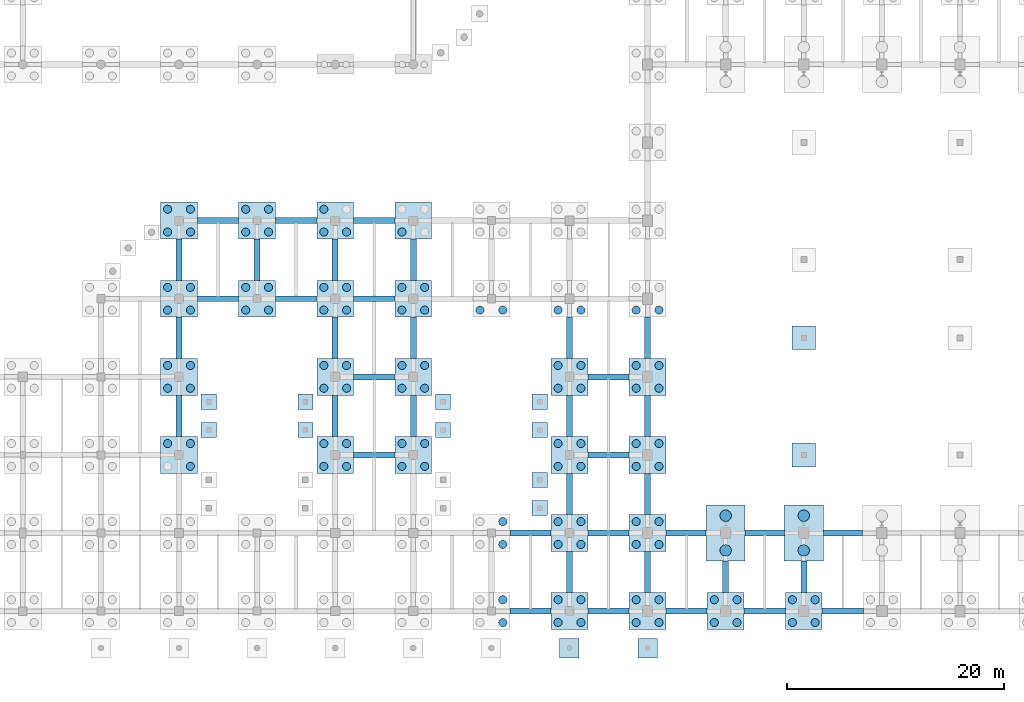
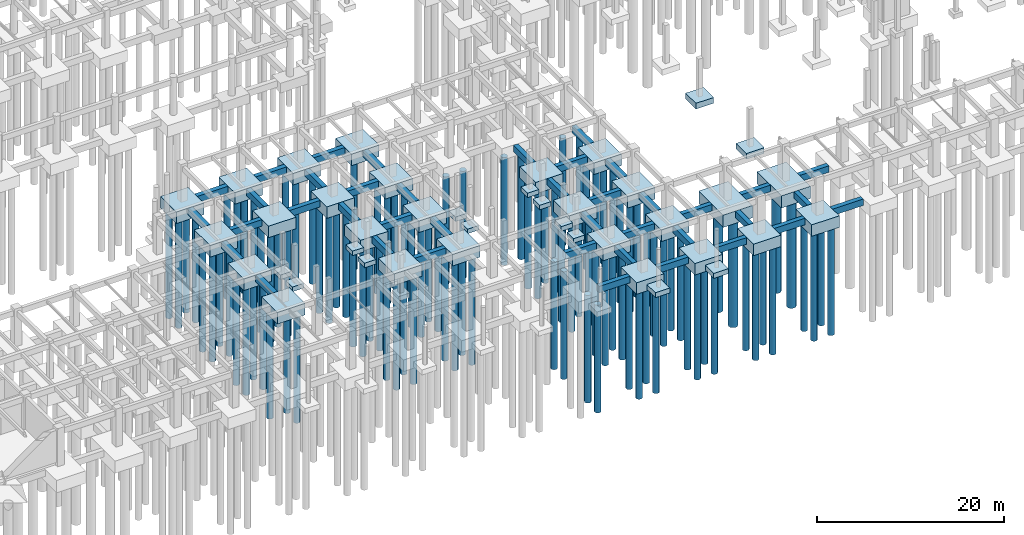
# One storey, part 4 of 47: 105 piles, 80 footings.
"""IFC4 building model written with IfcOpenShell, lengths in metres."""

from ifc_helpers import new_model, si_unit, direction, frame, origin, origin_2d, place, context, subcontext, project, spatial, rectangle, circle, extrude, material, material_profile, profile_set, type_object, element, save


model = new_model("IFC4")

# Units and contexts
model_context = context("Model", 3, precision=1e-05, world=origin(), true_north=direction((0.0, 1.0)))
body_context = subcontext(model_context, "Body", "Model", "MODEL_VIEW")
ifc_project = project(units=[si_unit("LENGTHUNIT", "METRE"), si_unit("AREAUNIT", "SQUARE_METRE"), si_unit("VOLUMEUNIT", "CUBIC_METRE"), si_unit("PLANEANGLEUNIT", "RADIAN"), si_unit("MASSUNIT", "GRAM", prefix="KILO")], contexts=[model_context])

# Site, building, storey
site_placement = place(None, origin())
site = spatial("IfcSite", under=ifc_project, at=site_placement, CompositionType="ELEMENT")
building_placement = place(site_placement, origin())
building = spatial("IfcBuilding", under=site, at=building_placement, Name="Thalmaran Polytechnic", CompositionType="ELEMENT")
storey_placement = place(building_placement, frame((0.0, 0.0, -4.5)))
storey = spatial("IfcBuildingStorey", under=building, at=storey_placement, Name="B1", CompositionType="ELEMENT", Elevation=-4.5)

# Footings
ifc_material_1 = material(Name="Concrete C40/50", Category="concrete")
ifc_material_profile_1 = material_profile(ifc_material_1, rectangle(XDim=0.550048828125, YDim=0.85009765625, at=origin_2d()), Name="RC 550x850")
ifc_profile_set_1 = profile_set([ifc_material_profile_1], Name="Concrete C40/50")
footing_type_1 = type_object("IfcFootingType", Name="FN-GB01", PredefinedType="FOOTING_BEAM", material=ifc_profile_set_1)
footing_1_placement = place(storey_placement, frame((64.800048828125, 16.10009765625, -0.875), z_axis=(0.0, 1.0, 0.0), x_axis=(-1.0, 0.0, 0.0)))
element("IfcFooting", 1, at=footing_1_placement, inside=storey, type_object=footing_type_1, Name="Ground Tie Beam B1 Y (9,2)", PredefinedType="FOOTING_BEAM", context=body_context, shape_type="SweptSolid", body=[
    extrude(rectangle(XDim=0.550048828125, YDim=0.85009765625, at=origin_2d()), origin(), (0.0, 0.0, 1.0), 3.7998046875),
])
for number, where, z_axis, x_axis, name in (
    (2, (64.800048828125, 23.300048828125, -0.875), (0.0, 1.0, 0.0), (-1.0, 0.0, 0.0), "Ground Tie Beam B1 Y (9,3)"),
    (3, (66.5, 28.800048828125, -0.875), (1.0, 0.0, 0.0), (0.0, 1.0, 0.0), "Ground Tie Beam B1 X (9,4)"),
    (4, (64.800048828125, 30.5, -0.875), (0.0, 1.0, 0.0), (-1.0, 0.0, 0.0), "Ground Tie Beam B1 Y (9,4)"),
    (5, (66.5, 36.0, -0.875), (1.0, 0.0, 0.0), (0.0, 1.0, 0.0), "Ground Tie Beam B1 X (9,5)"),
    (6, (73.699951171875, 28.800048828125, -0.875), (1.0, 0.0, 0.0), (0.0, 1.0, 0.0), "Ground Tie Beam B1 X (10,4)"),
    (7, (72.0, 30.5, -0.875), (0.0, 1.0, 0.0), (-1.0, 0.0, 0.0), "Ground Tie Beam B1 Y (10,4)"),
    (8, (73.699951171875, 36.0, -0.875), (1.0, 0.0, 0.0), (0.0, 1.0, 0.0), "Ground Tie Beam B1 X (10,5)"),
    (9, (80.89990234375, 14.39990234375, -0.875), (1.0, 0.0, 0.0), (0.0, 1.0, 0.0), "Ground Tie Beam B1 X (11,2)"),
):
    element("IfcFooting", number, at=place(storey_placement, frame(where, z_axis=z_axis, x_axis=x_axis)), inside=storey, type_object=footing_type_1, Name=name, PredefinedType="FOOTING_BEAM", context=body_context, shape_type="SweptSolid", body=[
        extrude(rectangle(XDim=0.550048828125, YDim=0.85009765625, at=origin_2d()), origin(), (0.0, 0.0, 1.0), 3.800048828125),
    ])
footing_2_placement = place(storey_placement, frame((79.199951171875, 16.10009765625, -0.875), z_axis=(0.0, 1.0, 0.0), x_axis=(-1.0, 0.0, 0.0)))
element("IfcFooting", 10, at=footing_2_placement, inside=storey, type_object=footing_type_1, Name="Ground Tie Beam B1 Y (11,2)", PredefinedType="FOOTING_BEAM", context=body_context, shape_type="SweptSolid", body=[
    extrude(rectangle(XDim=0.550048828125, YDim=0.85009765625, at=origin_2d()), origin(), (0.0, 0.0, 1.0), 3.7998046875),
])
for number, where, z_axis, x_axis, name in (
    (11, (80.89990234375, 21.60009765625, -0.875), (1.0, 0.0, 0.0), (0.0, 1.0, 0.0), "Ground Tie Beam B1 X (11,3)"),
    (12, (79.199951171875, 23.300048828125, -0.875), (0.0, 1.0, 0.0), (-1.0, 0.0, 0.0), "Ground Tie Beam B1 Y (11,3)"),
    (13, (80.89990234375, 28.800048828125, -0.875), (1.0, 0.0, 0.0), (0.0, 1.0, 0.0), "Ground Tie Beam B1 X (11,4)"),
    (14, (79.199951171875, 30.5, -0.875), (0.0, 1.0, 0.0), (-1.0, 0.0, 0.0), "Ground Tie Beam B1 Y (11,4)"),
    (15, (80.89990234375, 36.0, -0.875), (1.0, 0.0, 0.0), (0.0, 1.0, 0.0), "Ground Tie Beam B1 X (11,5)"),
):
    element("IfcFooting", number, at=place(storey_placement, frame(where, z_axis=z_axis, x_axis=x_axis)), inside=storey, type_object=footing_type_1, Name=name, PredefinedType="FOOTING_BEAM", context=body_context, shape_type="SweptSolid", body=[
        extrude(rectangle(XDim=0.550048828125, YDim=0.85009765625, at=origin_2d()), origin(), (0.0, 0.0, 1.0), 3.800048828125),
    ])
footing_3_placement = place(storey_placement, frame((86.39990234375, 16.10009765625, -0.875), z_axis=(0.0, 1.0, 0.0), x_axis=(-1.0, 0.0, 0.0)))
element("IfcFooting", 16, at=footing_3_placement, inside=storey, type_object=footing_type_1, Name="Ground Tie Beam B1 Y (12,2)", PredefinedType="FOOTING_BEAM", context=body_context, shape_type="SweptSolid", body=[
    extrude(rectangle(XDim=0.550048828125, YDim=0.85009765625, at=origin_2d()), origin(), (0.0, 0.0, 1.0), 3.7998046875),
])
for number, where, z_axis, x_axis, name in (
    (17, (86.39990234375, 23.300048828125, -0.875), (0.0, 1.0, 0.0), (-1.0, 0.0, 0.0), "Ground Tie Beam B1 Y (12,3)"),
    (18, (86.39990234375, 30.5, -0.875), (0.0, 1.0, 0.0), (-1.0, 0.0, 0.0), "Ground Tie Beam B1 Y (12,4)"),
    (19, (95.300048828125, 0.0, -0.875), (1.0, 0.0, 0.0), (0.0, 1.0, 0.0), "Ground Tie Beam B1 X (13,0)"),
    (20, (95.300048828125, 7.199951171875, -0.875), (1.0, 0.0, 0.0), (0.0, 1.0, 0.0), "Ground Tie Beam B1 X (13,1)"),
    (21, (102.5, 0.0, -0.875), (1.0, 0.0, 0.0), (0.0, 1.0, 0.0), "Ground Tie Beam B1 X (14,0)"),
    (22, (100.800048828125, 1.699951171875, -0.875), (0.0, 1.0, 0.0), (-1.0, 0.0, 0.0), "Ground Tie Beam B1 Y (14,0)"),
    (23, (102.5, 7.199951171875, -0.875), (1.0, 0.0, 0.0), (0.0, 1.0, 0.0), "Ground Tie Beam B1 X (14,1)"),
    (24, (100.800048828125, 8.89990234375, -0.875), (0.0, 1.0, 0.0), (-1.0, 0.0, 0.0), "Ground Tie Beam B1 Y (14,1)"),
    (25, (102.5, 14.39990234375, -0.875), (1.0, 0.0, 0.0), (0.0, 1.0, 0.0), "Ground Tie Beam B1 X (14,2)"),
):
    element("IfcFooting", number, at=place(storey_placement, frame(where, z_axis=z_axis, x_axis=x_axis)), inside=storey, type_object=footing_type_1, Name=name, PredefinedType="FOOTING_BEAM", context=body_context, shape_type="SweptSolid", body=[
        extrude(rectangle(XDim=0.550048828125, YDim=0.85009765625, at=origin_2d()), origin(), (0.0, 0.0, 1.0), 3.800048828125),
    ])
footing_4_placement = place(storey_placement, frame((100.800048828125, 16.10009765625, -0.875), z_axis=(0.0, 1.0, 0.0), x_axis=(-1.0, 0.0, 0.0)))
element("IfcFooting", 26, at=footing_4_placement, inside=storey, type_object=footing_type_1, Name="Ground Tie Beam B1 Y (14,2)", PredefinedType="FOOTING_BEAM", context=body_context, shape_type="SweptSolid", body=[
    extrude(rectangle(XDim=0.550048828125, YDim=0.85009765625, at=origin_2d()), origin(), (0.0, 0.0, 1.0), 3.7998046875),
])
for number, where, z_axis, x_axis, name in (
    (27, (102.5, 21.60009765625, -0.875), (1.0, 0.0, 0.0), (0.0, 1.0, 0.0), "Ground Tie Beam B1 X (14,3)"),
    (28, (100.800048828125, 23.300048828125, -0.875), (0.0, 1.0, 0.0), (-1.0, 0.0, 0.0), "Ground Tie Beam B1 Y (14,3)"),
    (29, (109.699951171875, 0.0, -0.875), (1.0, 0.0, 0.0), (0.0, 1.0, 0.0), "Ground Tie Beam B1 X (15,0)"),
    (30, (108.0, 1.699951171875, -0.875), (0.0, 1.0, 0.0), (-1.0, 0.0, 0.0), "Ground Tie Beam B1 Y (15,0)"),
):
    element("IfcFooting", number, at=place(storey_placement, frame(where, z_axis=z_axis, x_axis=x_axis)), inside=storey, type_object=footing_type_1, Name=name, PredefinedType="FOOTING_BEAM", context=body_context, shape_type="SweptSolid", body=[
        extrude(rectangle(XDim=0.550048828125, YDim=0.85009765625, at=origin_2d()), origin(), (0.0, 0.0, 1.0), 3.800048828125),
    ])
footing_5_placement = place(storey_placement, frame((109.699951171875, 7.199951171875, -0.875), z_axis=(1.0, 0.0, 0.0), x_axis=(0.0, 1.0, 0.0)))
element("IfcFooting", 31, at=footing_5_placement, inside=storey, type_object=footing_type_1, Name="Ground Tie Beam B1 X (15,1)", PredefinedType="FOOTING_BEAM", context=body_context, shape_type="SweptSolid", body=[
    extrude(rectangle(XDim=0.550048828125, YDim=0.85009765625, at=origin_2d()), origin(), (0.0, 0.0, 1.0), 3.699951171875),
])
footing_6_placement = place(storey_placement, frame((108.0, 8.89990234375, -0.875), z_axis=(0.0, 1.0, 0.0), x_axis=(-1.0, 0.0, 0.0)))
element("IfcFooting", 32, at=footing_6_placement, inside=storey, type_object=footing_type_1, Name="Ground Tie Beam B1 Y (15,1)", PredefinedType="FOOTING_BEAM", context=body_context, shape_type="SweptSolid", body=[
    extrude(rectangle(XDim=0.550048828125, YDim=0.85009765625, at=origin_2d()), origin(), (0.0, 0.0, 1.0), 3.800048828125),
])
footing_7_placement = place(storey_placement, frame((108.0, 16.10009765625, -0.875), z_axis=(0.0, 1.0, 0.0), x_axis=(-1.0, 0.0, 0.0)))
element("IfcFooting", 33, at=footing_7_placement, inside=storey, type_object=footing_type_1, Name="Ground Tie Beam B1 Y (15,2)", PredefinedType="FOOTING_BEAM", context=body_context, shape_type="SweptSolid", body=[
    extrude(rectangle(XDim=0.550048828125, YDim=0.85009765625, at=origin_2d()), origin(), (0.0, 0.0, 1.0), 3.7998046875),
])
for number, where, z_axis, x_axis, name in (
    (34, (108.0, 23.300048828125, -0.875), (0.0, 1.0, 0.0), (-1.0, 0.0, 0.0), "Ground Tie Beam B1 Y (15,3)"),
    (35, (116.89990234375, 0.0, -0.875), (1.0, 0.0, 0.0), (0.0, 1.0, 0.0), "Ground Tie Beam B1 X (16,0)"),
):
    element("IfcFooting", number, at=place(storey_placement, frame(where, z_axis=z_axis, x_axis=x_axis)), inside=storey, type_object=footing_type_1, Name=name, PredefinedType="FOOTING_BEAM", context=body_context, shape_type="SweptSolid", body=[
        extrude(rectangle(XDim=0.550048828125, YDim=0.85009765625, at=origin_2d()), origin(), (0.0, 0.0, 1.0), 3.800048828125),
    ])
footing_8_placement = place(storey_placement, frame((115.199951171875, 1.699951171875, -0.875), z_axis=(0.0, 1.0, 0.0), x_axis=(-1.0, 0.0, 0.0)))
element("IfcFooting", 36, at=footing_8_placement, inside=storey, type_object=footing_type_1, Name="Ground Tie Beam B1 Y (16,0)", PredefinedType="FOOTING_BEAM", context=body_context, shape_type="SweptSolid", body=[
    extrude(rectangle(XDim=0.550048828125, YDim=0.85009765625, at=origin_2d()), origin(), (0.0, 0.0, 1.0), 2.900146484375),
])
footing_9_placement = place(storey_placement, frame((117.0, 7.199951171875, -0.875), z_axis=(1.0, 0.0, 0.0), x_axis=(0.0, 1.0, 0.0)))
element("IfcFooting", 37, at=footing_9_placement, inside=storey, type_object=footing_type_1, Name="Ground Tie Beam B1 X (16,1)", PredefinedType="FOOTING_BEAM", context=body_context, shape_type="SweptSolid", body=[
    extrude(rectangle(XDim=0.550048828125, YDim=0.85009765625, at=origin_2d()), origin(), (0.0, 0.0, 1.0), 3.60009765625),
])
footing_10_placement = place(storey_placement, frame((124.10009765625, 0.0, -0.875), z_axis=(1.0, 0.0, 0.0), x_axis=(0.0, 1.0, 0.0)))
element("IfcFooting", 38, at=footing_10_placement, inside=storey, type_object=footing_type_1, Name="Ground Tie Beam B1 X (17,0)", PredefinedType="FOOTING_BEAM", context=body_context, shape_type="SweptSolid", body=[
    extrude(rectangle(XDim=0.550048828125, YDim=0.85009765625, at=origin_2d()), origin(), (0.0, 0.0, 1.0), 3.7998046875),
])
footing_11_placement = place(storey_placement, frame((122.39990234375, 1.699951171875, -0.875), z_axis=(0.0, 1.0, 0.0), x_axis=(-1.0, 0.0, 0.0)))
element("IfcFooting", 39, at=footing_11_placement, inside=storey, type_object=footing_type_1, Name="Ground Tie Beam B1 Y (17,0)", PredefinedType="FOOTING_BEAM", context=body_context, shape_type="SweptSolid", body=[
    extrude(rectangle(XDim=0.550048828125, YDim=0.85009765625, at=origin_2d()), origin(), (0.0, 0.0, 1.0), 2.900146484375),
])
footing_12_placement = place(storey_placement, frame((124.199951171875, 7.199951171875, -0.875), z_axis=(1.0, 0.0, 0.0), x_axis=(0.0, 1.0, 0.0)))
element("IfcFooting", 40, at=footing_12_placement, inside=storey, type_object=footing_type_1, Name="Ground Tie Beam B1 X (17,1)", PredefinedType="FOOTING_BEAM", context=body_context, shape_type="SweptSolid", body=[
    extrude(rectangle(XDim=0.550048828125, YDim=0.85009765625, at=origin_2d()), origin(), (0.0, 0.0, 1.0), 3.60009765625),
])
footing_type_2 = type_object("IfcFootingType", Name="FN-PC01", PredefinedType="PILE_CAP", material=ifc_material_1)
for number, where, z_axis, x_axis, name in (
    (41, (64.800048828125, 14.39990234375, -1.949951171875), (0.0, 0.0, 1.0), (1.0, 0.0, 0.0), "Pile Cap PC01 (9,2)"),
    (42, (64.800048828125, 21.60009765625, -1.949951171875), (0.0, 0.0, 1.0), (1.0, 0.0, 0.0), "Pile Cap PC01 (9,3)"),
    (43, (64.800048828125, 28.800048828125, -1.949951171875), (0.0, 0.0, 1.0), (1.0, 0.0, 0.0), "Pile Cap PC01 (9,4)"),
    (44, (64.800048828125, 36.0, -1.949951171875), (0.0, 0.0, 1.0), (1.0, 0.0, 0.0), "Pile Cap PC01 (9,5)"),
    (45, (72.0, 28.800048828125, -1.949951171875), (0.0, 0.0, 1.0), (1.0, 0.0, 0.0), "Pile Cap PC01 (10,4)"),
    (46, (72.0, 36.0, -1.949951171875), (0.0, 0.0, 1.0), (1.0, 0.0, 0.0), "Pile Cap PC01 (10,5)"),
    (47, (79.199951171875, 14.39990234375, -1.949951171875), (0.0, 0.0, 1.0), (1.0, 0.0, 0.0), "Pile Cap PC01 (11,2)"),
    (48, (79.199951171875, 21.60009765625, -1.949951171875), (0.0, 0.0, 1.0), (1.0, 0.0, 0.0), "Pile Cap PC01 (11,3)"),
    (49, (79.199951171875, 28.800048828125, -1.949951171875), (0.0, 0.0, 1.0), (1.0, 0.0, 0.0), "Pile Cap PC01 (11,4)"),
    (50, (79.199951171875, 36.0, -1.949951171875), (0.0, 0.0, 1.0), (1.0, 0.0, 0.0), "Pile Cap PC01 (11,5)"),
    (51, (86.39990234375, 14.39990234375, -1.949951171875), (0.0, 0.0, 1.0), (1.0, 0.0, 0.0), "Pile Cap PC01 (12,2)"),
    (52, (86.39990234375, 21.60009765625, -1.949951171875), (0.0, 0.0, 1.0), (1.0, 0.0, 0.0), "Pile Cap PC01 (12,3)"),
    (53, (86.39990234375, 28.800048828125, -1.949951171875), (0.0, 0.0, 1.0), (1.0, 0.0, 0.0), "Pile Cap PC01 (12,4)"),
    (54, (86.39990234375, 36.0, -1.949951171875), (0.0, 0.0, 1.0), (1.0, 0.0, 0.0), "Pile Cap PC01 (12,5)"),
    (55, (100.800048828125, 0.0, -1.949951171875), (0.0, 0.0, 1.0), (1.0, 0.0, 0.0), "Pile Cap PC01 (14,0)"),
    (56, (100.800048828125, 7.199951171875, -1.949951171875), (0.0, 0.0, 1.0), (1.0, 0.0, 0.0), "Pile Cap PC01 (14,1)"),
    (57, (100.800048828125, 14.39990234375, -1.949951171875), (0.0, 0.0, 1.0), (1.0, 0.0, 0.0), "Pile Cap PC01 (14,2)"),
    (58, (100.800048828125, 21.60009765625, -1.949951171875), (0.0, 0.0, 1.0), (1.0, 0.0, 0.0), "Pile Cap PC01 (14,3)"),
    (59, (108.0, 0.0, -1.949951171875), (0.0, 0.0, 1.0), (1.0, 0.0, 0.0), "Pile Cap PC01 (15,0)"),
    (60, (108.0, 7.199951171875, -1.949951171875), (0.0, 0.0, 1.0), (1.0, 0.0, 0.0), "Pile Cap PC01 (15,1)"),
    (61, (108.0, 14.39990234375, -1.949951171875), (0.0, 0.0, 1.0), (1.0, 0.0, 0.0), "Pile Cap PC01 (15,2)"),
    (62, (108.0, 21.60009765625, -1.949951171875), (0.0, 0.0, 1.0), (1.0, 0.0, 0.0), "Pile Cap PC01 (15,3)"),
    (63, (115.199951171875, 0.0, -1.949951171875), (0.0, 0.0, 1.0), (1.0, 0.0, 0.0), "Pile Cap PC01 (16,0)"),
    (64, (122.39990234375, 0.0, -1.949951171875), (0.0, 0.0, 1.0), (1.0, 0.0, 0.0), "Pile Cap PC01 (17,0)"),
):
    element("IfcFooting", number, at=place(storey_placement, frame(where, z_axis=z_axis, x_axis=x_axis)), inside=storey, type_object=footing_type_2, Name=name, PredefinedType="PILE_CAP", context=body_context, shape_type="SweptSolid", body=[
        extrude(rectangle(XDim=3.39990234375, YDim=3.39990234375, at=origin_2d()), origin(), (0.0, 0.0, 1.0), 1.5),
    ])
footing_type_3 = type_object("IfcFootingType", Name="FN-PC08", PredefinedType="PILE_CAP", material=ifc_material_1)
for number, where, z_axis, x_axis, name in (
    (65, (115.199951171875, 7.199951171875, -2.050048828125), (0.0, 0.0, 1.0), (1.0, 0.0, 0.0), "Pile Cap PC08 (16,1)"),
    (66, (122.39990234375, 7.199951171875, -2.050048828125), (0.0, 0.0, 1.0), (1.0, 0.0, 0.0), "Pile Cap PC08 (17,1)"),
):
    element("IfcFooting", number, at=place(storey_placement, frame(where, z_axis=z_axis, x_axis=x_axis)), inside=storey, type_object=footing_type_3, Name=name, PredefinedType="PILE_CAP", context=body_context, shape_type="SweptSolid", body=[
        extrude(rectangle(XDim=3.60009765625, YDim=5.199951171875, at=origin_2d()), origin(), (0.0, 0.0, 1.0), 1.60009765625),
    ])
footing_type_4 = type_object("IfcFootingType", Name="FN-PF01", PredefinedType="PAD_FOOTING", material=ifc_material_1)
for number, where, z_axis, x_axis, name in (
    (67, (122.39990234375, 14.39990234375, -1.199951171875), (0.0, 0.0, 1.0), (1.0, 0.0, 0.0), "POD1 Sabkha Pad Footing"),
    (68, (122.39990234375, 25.199951171875, -1.199951171875), (0.0, 0.0, 1.0), (1.0, 0.0, 0.0), "POD1 Sabkha Pad Footing"),
):
    element("IfcFooting", number, at=place(storey_placement, frame(where, z_axis=z_axis, x_axis=x_axis)), inside=storey, type_object=footing_type_4, Name=name, PredefinedType="PAD_FOOTING", context=body_context, shape_type="SweptSolid", body=[
        extrude(rectangle(XDim=2.199951171875, YDim=2.199951171875, at=origin_2d()), origin(), (0.0, 0.0, 1.0), 0.75),
    ])
footing_type_5 = type_object("IfcFootingType", Name="FN-PF02", PredefinedType="PAD_FOOTING", material=ifc_material_1)
for number, where, z_axis, x_axis, name in (
    (69, (100.800048828125, -3.39990234375, -1.099853515625), (0.0, 0.0, 1.0), (1.0, 0.0, 0.0), "Arcade Sabkha Pad Footing S6"),
    (70, (108.0, -3.39990234375, -1.099853515625), (0.0, 0.0, 1.0), (1.0, 0.0, 0.0), "Arcade Sabkha Pad Footing S7"),
):
    element("IfcFooting", number, at=place(storey_placement, frame(where, z_axis=z_axis, x_axis=x_axis)), inside=storey, type_object=footing_type_5, Name=name, PredefinedType="PAD_FOOTING", context=body_context, shape_type="SweptSolid", body=[
        extrude(rectangle(XDim=1.800048828125, YDim=1.800048828125, at=origin_2d()), origin(), (0.0, 0.0, 1.0), 0.64990234375),
    ])
footing_type_6 = type_object("IfcFootingType", Name="FN-PF03", PredefinedType="PAD_FOOTING", material=ifc_material_1)
for number, where, z_axis, x_axis, name in (
    (71, (67.550048828125, 16.699951171875, -1.050048828125), (0.0, 0.0, 1.0), (1.0, 0.0, 0.0), "Lecture Tier Footing 1-2"),
    (72, (67.550048828125, 19.300048828125, -1.050048828125), (0.0, 0.0, 1.0), (1.0, 0.0, 0.0), "Lecture Tier Footing 1-2"),
    (73, (76.449951171875, 16.699951171875, -1.050048828125), (0.0, 0.0, 1.0), (1.0, 0.0, 0.0), "Lecture Tier Footing 1-2"),
    (74, (76.449951171875, 19.300048828125, -1.050048828125), (0.0, 0.0, 1.0), (1.0, 0.0, 0.0), "Lecture Tier Footing 1-2"),
    (75, (98.050048828125, 9.5, -1.050048828125), (0.0, 0.0, 1.0), (1.0, 0.0, 0.0), "Lecture Tier Footing 2-1"),
    (76, (98.050048828125, 12.10009765625, -1.050048828125), (0.0, 0.0, 1.0), (1.0, 0.0, 0.0), "Lecture Tier Footing 2-1"),
    (77, (89.14990234375, 16.699951171875, -1.050048828125), (0.0, 0.0, 1.0), (1.0, 0.0, 0.0), "Lecture Tier Footing 2-2"),
    (78, (89.14990234375, 19.300048828125, -1.050048828125), (0.0, 0.0, 1.0), (1.0, 0.0, 0.0), "Lecture Tier Footing 2-2"),
    (79, (98.050048828125, 16.699951171875, -1.050048828125), (0.0, 0.0, 1.0), (1.0, 0.0, 0.0), "Lecture Tier Footing 2-2"),
    (80, (98.050048828125, 19.300048828125, -1.050048828125), (0.0, 0.0, 1.0), (1.0, 0.0, 0.0), "Lecture Tier Footing 2-2"),
):
    element("IfcFooting", number, at=place(storey_placement, frame(where, z_axis=z_axis, x_axis=x_axis)), inside=storey, type_object=footing_type_6, Name=name, PredefinedType="PAD_FOOTING", context=body_context, shape_type="SweptSolid", body=[
        extrude(rectangle(XDim=1.39990234375, YDim=1.39990234375, at=origin_2d()), origin(), (0.0, 0.0, 1.0), 0.60009765625),
    ])

# Piles
ifc_material_2 = material(Name="Concrete C35/45", Category="concrete")
ifc_material_profile_2 = material_profile(ifc_material_2, circle(Radius=0.52490234375, at=origin_2d()), Name="RC 1050 DIA")
ifc_profile_set_2 = profile_set([ifc_material_profile_2], Name="Concrete C35/45")
pile_type_1 = type_object("IfcPileType", Name="PL-BP01", PredefinedType="BORED", material=ifc_profile_set_2)
for number, where, z_axis, x_axis, name in (
    (81, (115.199951171875, 5.60009765625, -2.050048828125), (0.0, 0.0, -1.0), (1.0, 0.0, 0.0), "Bored Pile BP01 (16,1)-1"),
    (82, (115.199951171875, 8.800048828125, -2.050048828125), (0.0, 0.0, -1.0), (1.0, 0.0, 0.0), "Bored Pile BP01 (16,1)-2"),
    (83, (122.39990234375, 5.60009765625, -2.050048828125), (0.0, 0.0, -1.0), (1.0, 0.0, 0.0), "Bored Pile BP01 (17,1)-1"),
    (84, (122.39990234375, 8.800048828125, -2.050048828125), (0.0, 0.0, -1.0), (1.0, 0.0, 0.0), "Bored Pile BP01 (17,1)-2"),
):
    element("IfcPile", number, at=place(storey_placement, frame(where, z_axis=z_axis, x_axis=x_axis)), inside=storey, type_object=pile_type_1, Name=name, PredefinedType="BORED", context=body_context, shape_type="SweptSolid", body=[
        extrude(circle(Radius=0.52490234375, at=origin_2d()), origin(), (0.0, 0.0, 1.0), 13.949951171875),
    ])
ifc_material_profile_3 = material_profile(ifc_material_2, circle(Radius=0.375, at=origin_2d()), Name="RC 750 DIA")
ifc_profile_set_3 = profile_set([ifc_material_profile_3], Name="Concrete C35/45")
pile_type_2 = type_object("IfcPileType", Name="PL-BP03", PredefinedType="BORED", material=ifc_profile_set_3)
for number, where, z_axis, x_axis, name in (
    (85, (63.75, 15.449951171875, -1.949951171875), (0.0, 0.0, -1.0), (1.0, 0.0, 0.0), "Bored Pile BP03 (9,2)-2"),
    (86, (65.85009765625, 13.35009765625, -1.949951171875), (0.0, 0.0, -1.0), (1.0, 0.0, 0.0), "Bored Pile BP03 (9,2)-3"),
    (87, (65.85009765625, 15.449951171875, -1.949951171875), (0.0, 0.0, -1.0), (1.0, 0.0, 0.0), "Bored Pile BP03 (9,2)-4"),
    (88, (63.75, 20.550048828125, -1.949951171875), (0.0, 0.0, -1.0), (1.0, 0.0, 0.0), "Bored Pile BP03 (9,3)-1"),
    (89, (63.75, 22.64990234375, -1.949951171875), (0.0, 0.0, -1.0), (1.0, 0.0, 0.0), "Bored Pile BP03 (9,3)-2"),
    (90, (65.85009765625, 20.550048828125, -1.949951171875), (0.0, 0.0, -1.0), (1.0, 0.0, 0.0), "Bored Pile BP03 (9,3)-3"),
    (91, (65.85009765625, 22.64990234375, -1.949951171875), (0.0, 0.0, -1.0), (1.0, 0.0, 0.0), "Bored Pile BP03 (9,3)-4"),
    (92, (63.75, 27.75, -1.949951171875), (0.0, 0.0, -1.0), (1.0, 0.0, 0.0), "Bored Pile BP03 (9,4)-1"),
    (93, (63.75, 29.85009765625, -1.949951171875), (0.0, 0.0, -1.0), (1.0, 0.0, 0.0), "Bored Pile BP03 (9,4)-2"),
    (94, (65.85009765625, 27.75, -1.949951171875), (0.0, 0.0, -1.0), (1.0, 0.0, 0.0), "Bored Pile BP03 (9,4)-3"),
    (95, (65.85009765625, 29.85009765625, -1.949951171875), (0.0, 0.0, -1.0), (1.0, 0.0, 0.0), "Bored Pile BP03 (9,4)-4"),
    (96, (63.75, 34.949951171875, -1.949951171875), (0.0, 0.0, -1.0), (1.0, 0.0, 0.0), "Bored Pile BP03 (9,5)-1"),
    (97, (63.75, 37.050048828125, -1.949951171875), (0.0, 0.0, -1.0), (1.0, 0.0, 0.0), "Bored Pile BP03 (9,5)-2"),
    (98, (65.85009765625, 34.949951171875, -1.949951171875), (0.0, 0.0, -1.0), (1.0, 0.0, 0.0), "Bored Pile BP03 (9,5)-3"),
    (99, (65.85009765625, 37.050048828125, -1.949951171875), (0.0, 0.0, -1.0), (1.0, 0.0, 0.0), "Bored Pile BP03 (9,5)-4"),
    (100, (70.949951171875, 27.75, -1.949951171875), (0.0, 0.0, -1.0), (1.0, 0.0, 0.0), "Bored Pile BP03 (10,4)-1"),
    (101, (70.949951171875, 29.85009765625, -1.949951171875), (0.0, 0.0, -1.0), (1.0, 0.0, 0.0), "Bored Pile BP03 (10,4)-2"),
    (102, (73.050048828125, 27.75, -1.949951171875), (0.0, 0.0, -1.0), (1.0, 0.0, 0.0), "Bored Pile BP03 (10,4)-3"),
    (103, (73.050048828125, 29.85009765625, -1.949951171875), (0.0, 0.0, -1.0), (1.0, 0.0, 0.0), "Bored Pile BP03 (10,4)-4"),
    (104, (70.949951171875, 34.949951171875, -1.949951171875), (0.0, 0.0, -1.0), (1.0, 0.0, 0.0), "Bored Pile BP03 (10,5)-1"),
    (105, (70.949951171875, 37.050048828125, -1.949951171875), (0.0, 0.0, -1.0), (1.0, 0.0, 0.0), "Bored Pile BP03 (10,5)-2"),
    (106, (73.050048828125, 34.949951171875, -1.949951171875), (0.0, 0.0, -1.0), (1.0, 0.0, 0.0), "Bored Pile BP03 (10,5)-3"),
    (107, (73.050048828125, 37.050048828125, -1.949951171875), (0.0, 0.0, -1.0), (1.0, 0.0, 0.0), "Bored Pile BP03 (10,5)-4"),
    (108, (78.14990234375, 13.35009765625, -1.949951171875), (0.0, 0.0, -1.0), (1.0, 0.0, 0.0), "Bored Pile BP03 (11,2)-1"),
    (109, (78.14990234375, 15.449951171875, -1.949951171875), (0.0, 0.0, -1.0), (1.0, 0.0, 0.0), "Bored Pile BP03 (11,2)-2"),
    (110, (80.25, 13.35009765625, -1.949951171875), (0.0, 0.0, -1.0), (1.0, 0.0, 0.0), "Bored Pile BP03 (11,2)-3"),
    (111, (80.25, 15.449951171875, -1.949951171875), (0.0, 0.0, -1.0), (1.0, 0.0, 0.0), "Bored Pile BP03 (11,2)-4"),
    (112, (78.14990234375, 20.550048828125, -1.949951171875), (0.0, 0.0, -1.0), (1.0, 0.0, 0.0), "Bored Pile BP03 (11,3)-1"),
    (113, (78.14990234375, 22.64990234375, -1.949951171875), (0.0, 0.0, -1.0), (1.0, 0.0, 0.0), "Bored Pile BP03 (11,3)-2"),
    (114, (80.25, 20.550048828125, -1.949951171875), (0.0, 0.0, -1.0), (1.0, 0.0, 0.0), "Bored Pile BP03 (11,3)-3"),
    (115, (80.25, 22.64990234375, -1.949951171875), (0.0, 0.0, -1.0), (1.0, 0.0, 0.0), "Bored Pile BP03 (11,3)-4"),
    (116, (78.14990234375, 27.75, -1.949951171875), (0.0, 0.0, -1.0), (1.0, 0.0, 0.0), "Bored Pile BP03 (11,4)-1"),
    (117, (78.14990234375, 29.85009765625, -1.949951171875), (0.0, 0.0, -1.0), (1.0, 0.0, 0.0), "Bored Pile BP03 (11,4)-2"),
    (118, (80.25, 27.75, -1.949951171875), (0.0, 0.0, -1.0), (1.0, 0.0, 0.0), "Bored Pile BP03 (11,4)-3"),
    (119, (80.25, 29.85009765625, -1.949951171875), (0.0, 0.0, -1.0), (1.0, 0.0, 0.0), "Bored Pile BP03 (11,4)-4"),
    (120, (78.14990234375, 34.949951171875, -1.949951171875), (0.0, 0.0, -1.0), (1.0, 0.0, 0.0), "Bored Pile BP03 (11,5)-1"),
    (121, (78.14990234375, 37.050048828125, -1.949951171875), (0.0, 0.0, -1.0), (1.0, 0.0, 0.0), "Bored Pile BP03 (11,5)-2"),
    (122, (80.25, 34.949951171875, -1.949951171875), (0.0, 0.0, -1.0), (1.0, 0.0, 0.0), "Bored Pile BP03 (11,5)-3"),
    (123, (85.35009765625, 13.35009765625, -1.949951171875), (0.0, 0.0, -1.0), (1.0, 0.0, 0.0), "Bored Pile BP03 (12,2)-1"),
    (124, (85.35009765625, 15.449951171875, -1.949951171875), (0.0, 0.0, -1.0), (1.0, 0.0, 0.0), "Bored Pile BP03 (12,2)-2"),
    (125, (87.449951171875, 13.35009765625, -1.949951171875), (0.0, 0.0, -1.0), (1.0, 0.0, 0.0), "Bored Pile BP03 (12,2)-3"),
    (126, (87.449951171875, 15.449951171875, -1.949951171875), (0.0, 0.0, -1.0), (1.0, 0.0, 0.0), "Bored Pile BP03 (12,2)-4"),
    (127, (85.35009765625, 20.550048828125, -1.949951171875), (0.0, 0.0, -1.0), (1.0, 0.0, 0.0), "Bored Pile BP03 (12,3)-1"),
    (128, (85.35009765625, 22.64990234375, -1.949951171875), (0.0, 0.0, -1.0), (1.0, 0.0, 0.0), "Bored Pile BP03 (12,3)-2"),
    (129, (87.449951171875, 20.550048828125, -1.949951171875), (0.0, 0.0, -1.0), (1.0, 0.0, 0.0), "Bored Pile BP03 (12,3)-3"),
    (130, (87.449951171875, 22.64990234375, -1.949951171875), (0.0, 0.0, -1.0), (1.0, 0.0, 0.0), "Bored Pile BP03 (12,3)-4"),
    (131, (85.35009765625, 27.75, -1.949951171875), (0.0, 0.0, -1.0), (1.0, 0.0, 0.0), "Bored Pile BP03 (12,4)-1"),
    (132, (85.35009765625, 29.85009765625, -1.949951171875), (0.0, 0.0, -1.0), (1.0, 0.0, 0.0), "Bored Pile BP03 (12,4)-2"),
    (133, (87.449951171875, 27.75, -1.949951171875), (0.0, 0.0, -1.0), (1.0, 0.0, 0.0), "Bored Pile BP03 (12,4)-3"),
    (134, (87.449951171875, 29.85009765625, -1.949951171875), (0.0, 0.0, -1.0), (1.0, 0.0, 0.0), "Bored Pile BP03 (12,4)-4"),
    (135, (85.35009765625, 34.949951171875, -1.949951171875), (0.0, 0.0, -1.0), (1.0, 0.0, 0.0), "Bored Pile BP03 (12,5)-1"),
    (136, (94.64990234375, -1.050048828125, -1.949951171875), (0.0, 0.0, -1.0), (1.0, 0.0, 0.0), "Bored Pile BP03 (13,0)-3"),
    (137, (94.64990234375, 1.050048828125, -1.949951171875), (0.0, 0.0, -1.0), (1.0, 0.0, 0.0), "Bored Pile BP03 (13,0)-4"),
    (138, (94.64990234375, 6.14990234375, -1.949951171875), (0.0, 0.0, -1.0), (1.0, 0.0, 0.0), "Bored Pile BP03 (13,1)-3"),
    (139, (94.64990234375, 8.25, -1.949951171875), (0.0, 0.0, -1.0), (1.0, 0.0, 0.0), "Bored Pile BP03 (13,1)-4"),
    (140, (92.550048828125, 27.75, -1.949951171875), (0.0, 0.0, -1.0), (1.0, 0.0, 0.0), "Bored Pile BP03 (13,4)-1"),
    (141, (94.64990234375, 27.75, -1.949951171875), (0.0, 0.0, -1.0), (1.0, 0.0, 0.0), "Bored Pile BP03 (13,4)-3"),
    (142, (99.75, -1.050048828125, -1.949951171875), (0.0, 0.0, -1.0), (1.0, 0.0, 0.0), "Bored Pile BP03 (14,0)-1"),
    (143, (99.75, 1.050048828125, -1.949951171875), (0.0, 0.0, -1.0), (1.0, 0.0, 0.0), "Bored Pile BP03 (14,0)-2"),
    (144, (101.85009765625, -1.050048828125, -1.949951171875), (0.0, 0.0, -1.0), (1.0, 0.0, 0.0), "Bored Pile BP03 (14,0)-3"),
    (145, (101.85009765625, 1.050048828125, -1.949951171875), (0.0, 0.0, -1.0), (1.0, 0.0, 0.0), "Bored Pile BP03 (14,0)-4"),
    (146, (99.75, 6.14990234375, -1.949951171875), (0.0, 0.0, -1.0), (1.0, 0.0, 0.0), "Bored Pile BP03 (14,1)-1"),
    (147, (99.75, 8.25, -1.949951171875), (0.0, 0.0, -1.0), (1.0, 0.0, 0.0), "Bored Pile BP03 (14,1)-2"),
    (148, (101.85009765625, 6.14990234375, -1.949951171875), (0.0, 0.0, -1.0), (1.0, 0.0, 0.0), "Bored Pile BP03 (14,1)-3"),
    (149, (101.85009765625, 8.25, -1.949951171875), (0.0, 0.0, -1.0), (1.0, 0.0, 0.0), "Bored Pile BP03 (14,1)-4"),
    (150, (99.75, 13.35009765625, -1.949951171875), (0.0, 0.0, -1.0), (1.0, 0.0, 0.0), "Bored Pile BP03 (14,2)-1"),
    (151, (99.75, 15.449951171875, -1.949951171875), (0.0, 0.0, -1.0), (1.0, 0.0, 0.0), "Bored Pile BP03 (14,2)-2"),
    (152, (101.85009765625, 13.35009765625, -1.949951171875), (0.0, 0.0, -1.0), (1.0, 0.0, 0.0), "Bored Pile BP03 (14,2)-3"),
    (153, (101.85009765625, 15.449951171875, -1.949951171875), (0.0, 0.0, -1.0), (1.0, 0.0, 0.0), "Bored Pile BP03 (14,2)-4"),
    (154, (99.75, 20.550048828125, -1.949951171875), (0.0, 0.0, -1.0), (1.0, 0.0, 0.0), "Bored Pile BP03 (14,3)-1"),
    (155, (99.75, 22.64990234375, -1.949951171875), (0.0, 0.0, -1.0), (1.0, 0.0, 0.0), "Bored Pile BP03 (14,3)-2"),
    (156, (101.85009765625, 20.550048828125, -1.949951171875), (0.0, 0.0, -1.0), (1.0, 0.0, 0.0), "Bored Pile BP03 (14,3)-3"),
    (157, (101.85009765625, 22.64990234375, -1.949951171875), (0.0, 0.0, -1.0), (1.0, 0.0, 0.0), "Bored Pile BP03 (14,3)-4"),
    (158, (99.75, 27.75, -1.949951171875), (0.0, 0.0, -1.0), (1.0, 0.0, 0.0), "Bored Pile BP03 (14,4)-1"),
    (159, (101.85009765625, 27.75, -1.949951171875), (0.0, 0.0, -1.0), (1.0, 0.0, 0.0), "Bored Pile BP03 (14,4)-3"),
    (160, (106.949951171875, -1.050048828125, -1.949951171875), (0.0, 0.0, -1.0), (1.0, 0.0, 0.0), "Bored Pile BP03 (15,0)-1"),
    (161, (106.949951171875, 1.050048828125, -1.949951171875), (0.0, 0.0, -1.0), (1.0, 0.0, 0.0), "Bored Pile BP03 (15,0)-2"),
    (162, (109.050048828125, -1.050048828125, -1.949951171875), (0.0, 0.0, -1.0), (1.0, 0.0, 0.0), "Bored Pile BP03 (15,0)-3"),
    (163, (109.050048828125, 1.050048828125, -1.949951171875), (0.0, 0.0, -1.0), (1.0, 0.0, 0.0), "Bored Pile BP03 (15,0)-4"),
    (164, (106.949951171875, 6.14990234375, -1.949951171875), (0.0, 0.0, -1.0), (1.0, 0.0, 0.0), "Bored Pile BP03 (15,1)-1"),
    (165, (106.949951171875, 8.25, -1.949951171875), (0.0, 0.0, -1.0), (1.0, 0.0, 0.0), "Bored Pile BP03 (15,1)-2"),
    (166, (109.050048828125, 6.14990234375, -1.949951171875), (0.0, 0.0, -1.0), (1.0, 0.0, 0.0), "Bored Pile BP03 (15,1)-3"),
    (167, (109.050048828125, 8.25, -1.949951171875), (0.0, 0.0, -1.0), (1.0, 0.0, 0.0), "Bored Pile BP03 (15,1)-4"),
    (168, (106.949951171875, 13.35009765625, -1.949951171875), (0.0, 0.0, -1.0), (1.0, 0.0, 0.0), "Bored Pile BP03 (15,2)-1"),
    (169, (106.949951171875, 15.449951171875, -1.949951171875), (0.0, 0.0, -1.0), (1.0, 0.0, 0.0), "Bored Pile BP03 (15,2)-2"),
    (170, (109.050048828125, 13.35009765625, -1.949951171875), (0.0, 0.0, -1.0), (1.0, 0.0, 0.0), "Bored Pile BP03 (15,2)-3"),
    (171, (109.050048828125, 15.449951171875, -1.949951171875), (0.0, 0.0, -1.0), (1.0, 0.0, 0.0), "Bored Pile BP03 (15,2)-4"),
    (172, (106.949951171875, 20.550048828125, -1.949951171875), (0.0, 0.0, -1.0), (1.0, 0.0, 0.0), "Bored Pile BP03 (15,3)-1"),
    (173, (106.949951171875, 22.64990234375, -1.949951171875), (0.0, 0.0, -1.0), (1.0, 0.0, 0.0), "Bored Pile BP03 (15,3)-2"),
    (174, (109.050048828125, 20.550048828125, -1.949951171875), (0.0, 0.0, -1.0), (1.0, 0.0, 0.0), "Bored Pile BP03 (15,3)-3"),
    (175, (109.050048828125, 22.64990234375, -1.949951171875), (0.0, 0.0, -1.0), (1.0, 0.0, 0.0), "Bored Pile BP03 (15,3)-4"),
    (176, (106.949951171875, 27.75, -1.949951171875), (0.0, 0.0, -1.0), (1.0, 0.0, 0.0), "Bored Pile BP03 (15,4)-1"),
    (177, (109.050048828125, 27.75, -1.949951171875), (0.0, 0.0, -1.0), (1.0, 0.0, 0.0), "Bored Pile BP03 (15,4)-3"),
    (178, (114.14990234375, -1.050048828125, -1.949951171875), (0.0, 0.0, -1.0), (1.0, 0.0, 0.0), "Bored Pile BP03 (16,0)-1"),
    (179, (114.14990234375, 1.050048828125, -1.949951171875), (0.0, 0.0, -1.0), (1.0, 0.0, 0.0), "Bored Pile BP03 (16,0)-2"),
    (180, (116.25, -1.050048828125, -1.949951171875), (0.0, 0.0, -1.0), (1.0, 0.0, 0.0), "Bored Pile BP03 (16,0)-3"),
    (181, (116.25, 1.050048828125, -1.949951171875), (0.0, 0.0, -1.0), (1.0, 0.0, 0.0), "Bored Pile BP03 (16,0)-4"),
    (182, (121.35009765625, -1.050048828125, -1.949951171875), (0.0, 0.0, -1.0), (1.0, 0.0, 0.0), "Bored Pile BP03 (17,0)-1"),
    (183, (121.35009765625, 1.050048828125, -1.949951171875), (0.0, 0.0, -1.0), (1.0, 0.0, 0.0), "Bored Pile BP03 (17,0)-2"),
    (184, (123.449951171875, -1.050048828125, -1.949951171875), (0.0, 0.0, -1.0), (1.0, 0.0, 0.0), "Bored Pile BP03 (17,0)-3"),
    (185, (123.449951171875, 1.050048828125, -1.949951171875), (0.0, 0.0, -1.0), (1.0, 0.0, 0.0), "Bored Pile BP03 (17,0)-4"),
):
    element("IfcPile", number, at=place(storey_placement, frame(where, z_axis=z_axis, x_axis=x_axis)), inside=storey, type_object=pile_type_2, Name=name, PredefinedType="BORED", context=body_context, shape_type="SweptSolid", body=[
        extrude(circle(Radius=0.375, at=origin_2d()), origin(), (0.0, 0.0, 1.0), 14.050048828125),
    ])

save(model, "model.ifc")
